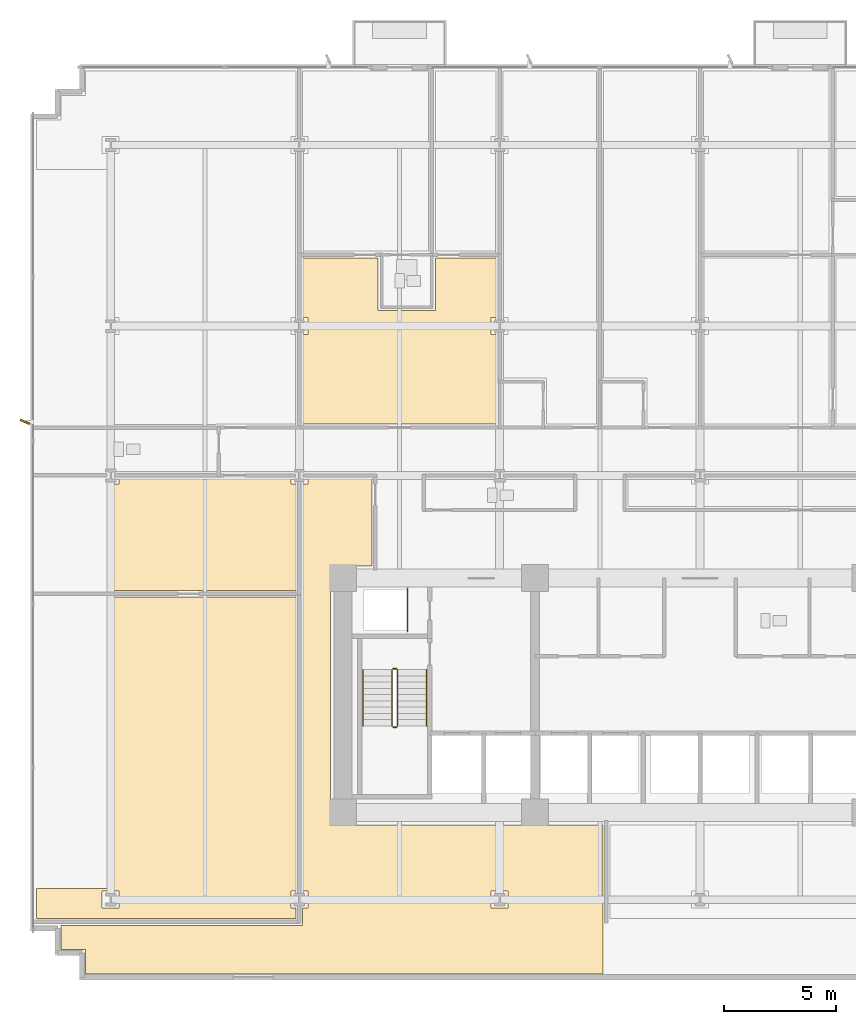
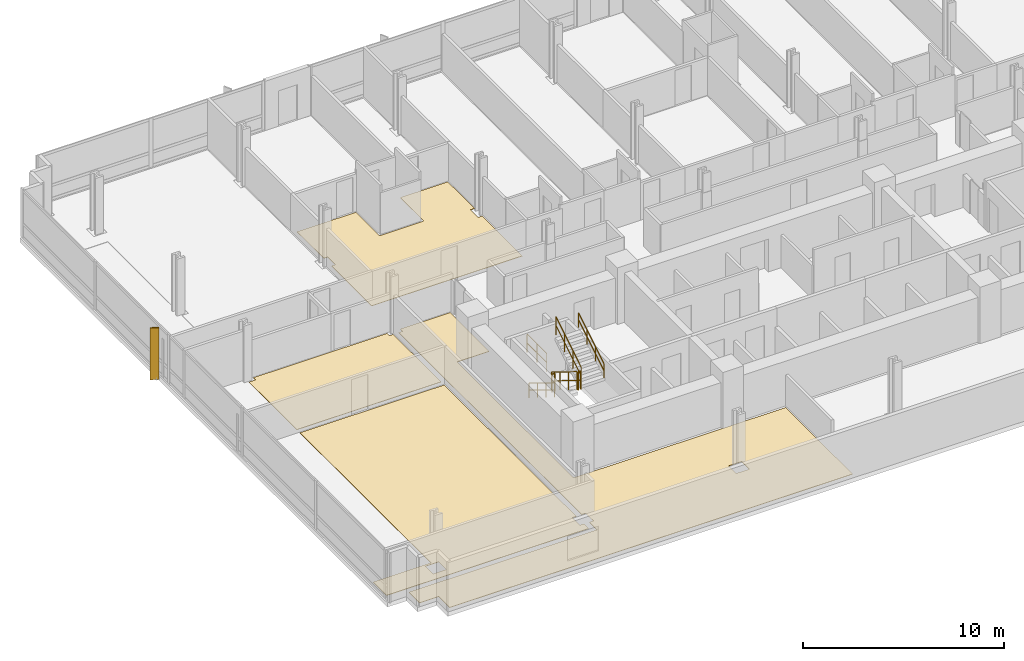
# One storey, part 12 of 15: 7 railings, 4 coverings, 1 shading device.
"""IFC4 building model written with IfcOpenShell, lengths in metres."""

from ifc_helpers import new_model, si_unit, direction, frame, origin, origin_2d, place, context, subcontext, project, spatial, polyline, rectangle, circle, outline, extrude, material, layer, layer_set, type_object, element, save


model = new_model("IFC4")

# Units and contexts
model_context = context("Model", 3, precision=1e-05, world=origin(), true_north=direction((0.0, 1.0)))
body_context = subcontext(model_context, "Body", "Model", "MODEL_VIEW")
ifc_project = project(units=[si_unit("LENGTHUNIT", "METRE"), si_unit("AREAUNIT", "SQUARE_METRE"), si_unit("VOLUMEUNIT", "CUBIC_METRE"), si_unit("PLANEANGLEUNIT", "RADIAN"), si_unit("MASSUNIT", "GRAM", prefix="KILO")], contexts=[model_context])

# Site, building, storey
site_placement = place(None, origin())
site = spatial("IfcSite", under=ifc_project, at=site_placement, CompositionType="ELEMENT")
building_placement = place(site_placement, origin())
building = spatial("IfcBuilding", under=site, at=building_placement, Name="Solmavex Isthmus Hotel", CompositionType="ELEMENT")
storey_placement = place(building_placement, frame((0.0, 0.0, 71.25)))
storey = spatial("IfcBuildingStorey", under=building, at=storey_placement, Name="L19", CompositionType="ELEMENT", Elevation=71.25)

# Coverings
ifc_material_1 = material(Name="Travertine natural stone", Category="masonry")
ifc_layer_1 = layer(ifc_material_1, 0.02490234375)
ifc_layer_set_1 = layer_set([ifc_layer_1], Name="Travertine natural stone")
covering_type = type_object("IfcCoveringType", Name="COV-FLOR-STN", PredefinedType="FLOORING", material=ifc_layer_set_1)
covering_1_placement = place(storey_placement, origin())
element("IfcCovering", 1, at=covering_1_placement, inside=storey, type_object=covering_type, Name="Stone and Timber Floor Finish L19-ST02-FY", PredefinedType="FLOORING", context=body_context, shape_type="SweptSolid", body=[
    extrude(outline(polyline([(-17.797119140625, 9.16796875), (-17.572021484375, 9.16796875), (-17.572021484375, 8.407958984375), (-17.797119140625, 8.407958984375), (-17.797119140625, 4.405029296875), (-9.131103515625, 4.405029296875), (-9.131103515625, 8.407958984375), (-9.35595703125, 8.407958984375), (-9.35595703125, 9.16796875), (-9.131103515625, 9.16796875), (-9.131103515625, 11.8330078125), (-11.85888671875, 11.8330078125), (-11.85888671875, 9.48291015625), (-14.4189453125, 9.48291015625), (-14.4189453125, 11.8330078125), (-17.797119140625, 11.8330078125), (-17.797119140625, 9.16796875)])), origin(), (0.0, 0.0, 1.0), 0.02490234375),
])
covering_2_placement = place(storey_placement, origin())
element("IfcCovering", 2, at=covering_2_placement, inside=storey, type_object=covering_type, Name="Stone and Timber Floor Finish L19-FL13", PredefinedType="FLOORING", context=body_context, shape_type="SweptSolid", body=[
    extrude(outline(polyline([(-26.02001953125, 1.945068359375), (-26.02001953125, 1.719970703125), (-26.39990234375, 1.719970703125), (-26.39990234375, -3.044921875), (-18.10693359375, -3.044921875), (-18.10693359375, 1.719970703125), (-18.33203125, 1.719970703125), (-18.33203125, 1.945068359375), (-26.02001953125, 1.945068359375)])), origin(), (0.0, 0.0, 1.0), 0.02490234375),
])
covering_3_placement = place(storey_placement, origin())
element("IfcCovering", 3, at=covering_3_placement, inside=storey, type_object=covering_type, Name="Stone and Timber Floor Finish L19-FL16", PredefinedType="FLOORING", context=body_context, shape_type="SweptSolid", body=[
    extrude(outline(polyline([(-28.625, -18.054931640625), (-28.625, -19.125), (-27.52490234375, -19.125), (-27.52490234375, -20.22509765625), (-4.35498046875, -20.22509765625), (-4.35498046875, -13.554931640625), (-16.554931640625, -13.554931640625), (-16.554931640625, -1.945068359375), (-14.698974609375, -1.945068359375), (-14.698974609375, 1.945068359375), (-17.572021484375, 1.945068359375), (-17.572021484375, 1.719970703125), (-17.797119140625, 1.719970703125), (-17.797119140625, -16.52001953125), (-17.572021484375, -16.52001953125), (-17.572021484375, -17.280029296875), (-17.797119140625, -17.280029296875), (-17.797119140625, -18.054931640625), (-28.625, -18.054931640625)]), holes=[polyline([(-9.35595703125, -17.280029296875), (-9.35595703125, -16.52001953125), (-8.595947265625, -16.52001953125), (-8.595947265625, -17.280029296875), (-9.35595703125, -17.280029296875)])]), origin(), (0.0, 0.0, 1.0), 0.02490234375),
])
covering_4_placement = place(storey_placement, origin())
element("IfcCovering", 4, at=covering_4_placement, inside=storey, type_object=covering_type, Name="Stone and Timber Floor Finish L19-FL17", PredefinedType="FLOORING", context=body_context, shape_type="SweptSolid", body=[
    extrude(outline(polyline([(-18.10693359375, -17.280029296875), (-18.33203125, -17.280029296875), (-18.33203125, -16.52001953125), (-18.10693359375, -16.52001953125), (-18.10693359375, -3.35498046875), (-26.39990234375, -3.35498046875), (-26.39990234375, -16.39990234375), (-29.72509765625, -16.39990234375), (-29.72509765625, -17.7451171875), (-18.10693359375, -17.7451171875), (-18.10693359375, -17.280029296875)]), holes=[polyline([(-26.780029296875, -17.280029296875), (-26.780029296875, -16.52001953125), (-26.02001953125, -16.52001953125), (-26.02001953125, -17.280029296875), (-26.780029296875, -17.280029296875)])]), origin(), (0.0, 0.0, 1.0), 0.02490234375),
])

# Railings
ifc_material_2 = material(Name="Clear low-E laminated glass", Category="glass")
ifc_layer_2 = layer(ifc_material_2, 0.080078125)
ifc_layer_set_2 = layer_set([ifc_layer_2], Name="Clear low-E laminated glass")
railing_type_1 = type_object("IfcRailingType", Name="RAIL-ATRIUM-1120", PredefinedType="BALUSTRADE", material=ifc_layer_set_2)
railing_1_placement = place(storey_placement, frame((-13.10009765625, -4.89990234375, 0.0)))
element("IfcRailing", 5, at=railing_1_placement, inside=storey, type_object=railing_type_1, Name="Guardrail Balustrade L19-RSW-01", PredefinedType="BALUSTRADE", context=body_context, shape_type="SweptSolid", body=[
    extrude(circle(Radius=0.02392578125, at=origin_2d()), frame((0.0, 0.0, 1.1259765625), z_axis=(0.0, 1.0, 0.0), x_axis=(-1.0, 0.0, 0.0)), (0.0, 0.0, 1.0), 1.949951171875),
    extrude(circle(Radius=0.02392578125, at=origin_2d()), frame((0.0, 0.0, 0.574951171875), z_axis=(0.0, 1.0, 0.0), x_axis=(-1.0, 0.0, 0.0)), (0.0, 0.0, 1.0), 1.949951171875),
    extrude(circle(Radius=0.02099609375, at=origin_2d()), origin(), (0.0, 0.0, 1.0), 1.101806640625),
    extrude(circle(Radius=0.02099609375, at=origin_2d()), frame((0.0, 0.97509765625, 0.0)), (0.0, 0.0, 1.0), 1.101806640625),
    extrude(circle(Radius=0.02099609375, at=origin_2d()), frame((0.0, 1.949951171875, 0.0)), (0.0, 0.0, 1.0), 1.101806640625),
])
ifc_material_3 = material(Name="Stainless steel 316", Category="steel")
ifc_layer_3 = layer(ifc_material_3, 0.06005859375)
ifc_layer_set_3 = layer_set([ifc_layer_3], Name="Stainless steel 316")
railing_type_2 = type_object("IfcRailingType", Name="RAIL-STAIR-GD", PredefinedType="GUARDRAIL", material=ifc_layer_set_3)
railing_2_placement = place(storey_placement, frame((-13.800048828125, -6.60009765625, 0.172607421875)))
element("IfcRailing", 6, at=railing_2_placement, inside=storey, type_object=railing_type_2, Name="L19 ST-1 stair guard 1", PredefinedType="GUARDRAIL", context=body_context, shape_type="SweptSolid", body=[
    extrude(circle(Radius=0.02392578125, at=origin_2d()), frame((0.0, 0.0, 1.09619140625), z_axis=(0.0, -0.851400495292, 0.524516154772), x_axis=(1.0, 0.0, 0.0)), (0.0, 0.0, 1.0), 2.9599609375),
    extrude(circle(Radius=0.02392578125, at=origin_2d()), frame((0.0, 0.0, 0.56005859375), z_axis=(0.0, -0.851400495292, 0.524516154772), x_axis=(1.0, 0.0, 0.0)), (0.0, 0.0, 1.0), 2.9599609375),
    extrude(circle(Radius=0.02099609375, at=origin_2d()), origin(), (0.0, 0.0, 1.0), 1.072021484375),
    extrude(circle(Radius=0.02099609375, at=origin_2d()), frame((0.0, -0.840087890625, 0.517578125)), (0.0, 0.0, 1.0), 1.072021484375),
    extrude(circle(Radius=0.02099609375, at=origin_2d()), frame((0.0, -1.679931640625, 1.034912109375)), (0.0, 0.0, 1.0), 1.072021484375),
    extrude(circle(Radius=0.02099609375, at=origin_2d()), frame((0.0, -2.52001953125, 1.552490234375)), (0.0, 0.0, 1.0), 1.072021484375),
])
railing_3_placement = place(storey_placement, frame((-13.75, -9.169921875, 1.72509765625)))
element("IfcRailing", 7, at=railing_3_placement, inside=storey, type_object=railing_type_2, Name="L19 ST-1 stair guard 2", PredefinedType="GUARDRAIL", context=body_context, shape_type="SweptSolid", body=[
    extrude(circle(Radius=0.02392578125, at=origin_2d()), frame((0.0, 0.0, 1.09619140625), z_axis=(1.0, 0.0, 0.0), x_axis=(0.0, 1.0, 0.0)), (0.0, 0.0, 1.0), 0.14990234375),
    extrude(circle(Radius=0.02392578125, at=origin_2d()), frame((0.0, 0.0, 0.56005859375), z_axis=(1.0, 0.0, 0.0), x_axis=(0.0, 1.0, 0.0)), (0.0, 0.0, 1.0), 0.14990234375),
    extrude(circle(Radius=0.02099609375, at=origin_2d()), origin(), (0.0, 0.0, 1.0), 1.072021484375),
    extrude(circle(Radius=0.02099609375, at=origin_2d()), frame((0.14990234375, 0.0, 0.0)), (0.0, 0.0, 1.0), 1.072021484375),
])
railing_4_placement = place(storey_placement, frame((-13.550048828125, -9.1201171875, 1.8974609375)))
element("IfcRailing", 8, at=railing_4_placement, inside=storey, type_object=railing_type_2, Name="L19 ST-1 stair guard 3", PredefinedType="GUARDRAIL", context=body_context, shape_type="SweptSolid", body=[
    extrude(circle(Radius=0.02392578125, at=origin_2d()), frame((0.0, 0.0, 1.09619140625), z_axis=(0.0, 0.851400495292, 0.524516154772), x_axis=(-1.0, 0.0, 0.0)), (0.0, 0.0, 1.0), 2.9599609375),
    extrude(circle(Radius=0.02392578125, at=origin_2d()), frame((0.0, 0.0, 0.56005859375), z_axis=(0.0, 0.851400495292, 0.524516154772), x_axis=(-1.0, 0.0, 0.0)), (0.0, 0.0, 1.0), 2.9599609375),
    extrude(circle(Radius=0.02099609375, at=origin_2d()), origin(), (0.0, 0.0, 1.0), 1.072021484375),
    extrude(circle(Radius=0.02099609375, at=origin_2d()), frame((0.0, 0.840087890625, 0.517578125)), (0.0, 0.0, 1.0), 1.072021484375),
    extrude(circle(Radius=0.02099609375, at=origin_2d()), frame((0.0, 1.679931640625, 1.034912109375)), (0.0, 0.0, 1.0), 1.072021484375),
    extrude(circle(Radius=0.02099609375, at=origin_2d()), frame((0.0, 2.52001953125, 1.552490234375)), (0.0, 0.0, 1.0), 1.072021484375),
])
railing_5_placement = place(storey_placement, frame((-13.75, -6.550048828125, 0.0)))
element("IfcRailing", 9, at=railing_5_placement, inside=storey, type_object=railing_type_2, Name="L19 ST-1 stair guard 4", PredefinedType="GUARDRAIL", context=body_context, shape_type="SweptSolid", body=[
    extrude(circle(Radius=0.02392578125, at=origin_2d()), frame((0.0, 0.0, 1.09619140625), z_axis=(1.0, 0.0, 0.0), x_axis=(0.0, 1.0, 0.0)), (0.0, 0.0, 1.0), 0.14990234375),
    extrude(circle(Radius=0.02392578125, at=origin_2d()), frame((0.0, 0.0, 0.56005859375), z_axis=(1.0, 0.0, 0.0), x_axis=(0.0, 1.0, 0.0)), (0.0, 0.0, 1.0), 0.14990234375),
    extrude(circle(Radius=0.02099609375, at=origin_2d()), origin(), (0.0, 0.0, 1.0), 1.072021484375),
    extrude(circle(Radius=0.02099609375, at=origin_2d()), frame((0.14990234375, 0.0, 0.0)), (0.0, 0.0, 1.0), 1.072021484375),
])
ifc_layer_4 = layer(ifc_material_3, 0.050048828125)
ifc_layer_set_4 = layer_set([ifc_layer_4], Name="Stainless steel 316")
railing_type_3 = type_object("IfcRailingType", Name="RAIL-STAIR-HR", PredefinedType="HANDRAIL", material=ifc_layer_set_4)
railing_6_placement = place(storey_placement, frame((-15.10009765625, -6.60009765625, 0.172607421875)))
element("IfcRailing", 10, at=railing_6_placement, inside=storey, type_object=railing_type_3, Name="L19 ST-1 stair handrail 1", PredefinedType="HANDRAIL", context=body_context, shape_type="SweptSolid", body=[
    extrude(circle(Radius=0.02392578125, at=origin_2d()), frame((0.0, 0.0, 0.8759765625), z_axis=(0.0, -0.851400495292, 0.524516154772), x_axis=(1.0, 0.0, 0.0)), (0.0, 0.0, 1.0), 2.9599609375),
    extrude(circle(Radius=0.02392578125, at=origin_2d()), frame((0.0, 0.0, 0.449951171875), z_axis=(0.0, -0.851400495292, 0.524516154772), x_axis=(1.0, 0.0, 0.0)), (0.0, 0.0, 1.0), 2.9599609375),
    extrude(circle(Radius=0.02099609375, at=origin_2d()), origin(), (0.0, 0.0, 1.0), 0.851806640625),
    extrude(circle(Radius=0.02099609375, at=origin_2d()), frame((0.0, -0.840087890625, 0.517578125)), (0.0, 0.0, 1.0), 0.851806640625),
    extrude(circle(Radius=0.02099609375, at=origin_2d()), frame((0.0, -1.679931640625, 1.034912109375)), (0.0, 0.0, 1.0), 0.851806640625),
    extrude(circle(Radius=0.02099609375, at=origin_2d()), frame((0.0, -2.52001953125, 1.552490234375)), (0.0, 0.0, 1.0), 0.851806640625),
])
railing_7_placement = place(storey_placement, frame((-12.25, -9.1201171875, 1.8974609375)))
element("IfcRailing", 11, at=railing_7_placement, inside=storey, type_object=railing_type_3, Name="L19 ST-1 stair handrail 2", PredefinedType="HANDRAIL", context=body_context, shape_type="SweptSolid", body=[
    extrude(circle(Radius=0.02392578125, at=origin_2d()), frame((0.0, 0.0, 0.8759765625), z_axis=(0.0, 0.851400495292, 0.524516154772), x_axis=(-1.0, 0.0, 0.0)), (0.0, 0.0, 1.0), 2.9599609375),
    extrude(circle(Radius=0.02392578125, at=origin_2d()), frame((0.0, 0.0, 0.449951171875), z_axis=(0.0, 0.851400495292, 0.524516154772), x_axis=(-1.0, 0.0, 0.0)), (0.0, 0.0, 1.0), 2.9599609375),
    extrude(circle(Radius=0.02099609375, at=origin_2d()), origin(), (0.0, 0.0, 1.0), 0.851806640625),
    extrude(circle(Radius=0.02099609375, at=origin_2d()), frame((0.0, 0.840087890625, 0.517578125)), (0.0, 0.0, 1.0), 0.851806640625),
    extrude(circle(Radius=0.02099609375, at=origin_2d()), frame((0.0, 1.679931640625, 1.034912109375)), (0.0, 0.0, 1.0), 0.851806640625),
    extrude(circle(Radius=0.02099609375, at=origin_2d()), frame((0.0, 2.52001953125, 1.552490234375)), (0.0, 0.0, 1.0), 0.851806640625),
])

# Shading device
ifc_material_4 = material(Name="Aluminium alloy 6063-T6", Category="aluminium")
shading_device_type = type_object("IfcShadingDeviceType", Name="SHD-FIN-BRONZE", PredefinedType="USERDEFINED", material=ifc_material_4)
shading_device_placement = place(storey_placement, frame((-30.239990234375, 4.5, -0.14013671875), z_axis=(0.0, 0.0, 1.0), x_axis=(-0.913545457643, 0.406736643076, 0.0)))
element("IfcShadingDevice", 12, at=shading_device_placement, inside=storey, type_object=shading_device_type, Name="Anodised Aluminium Solar Fin L19-W1", ObjectType="SOLAR_FIN", PredefinedType="USERDEFINED", context=body_context, shape_type="SweptSolid", body=[
    extrude(rectangle(XDim=0.449951171875, YDim=0.080078125, at=origin_2d()), origin(), (0.0, 0.0, 1.0), 3.139892578125),
])

save(model, "model.ifc")
